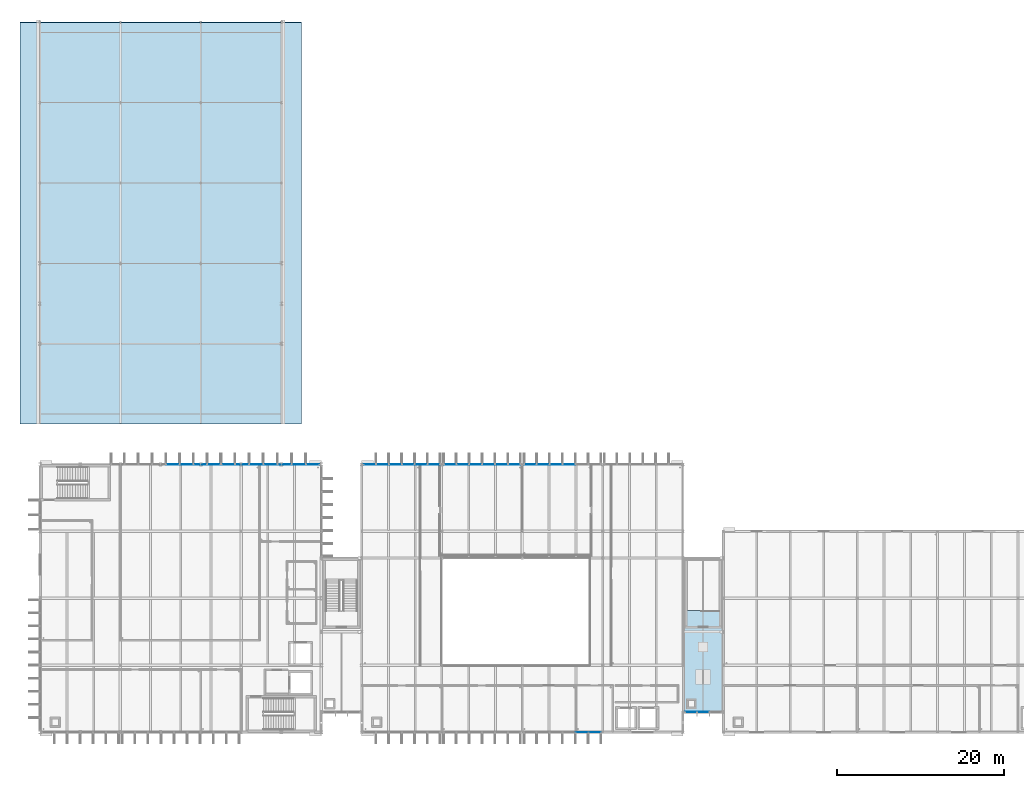
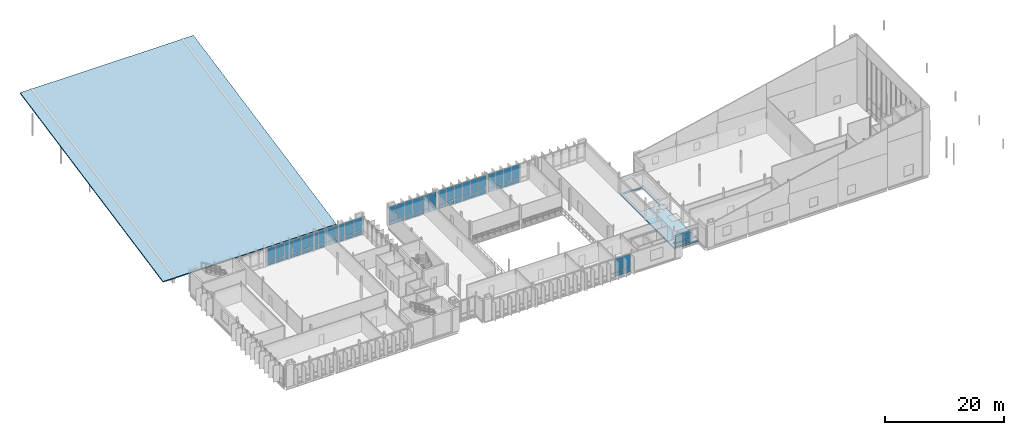
# One storey, part 29 of 59: 62 plates, 2 slabs, 7 elements without a shape of their own.
"""IFC4 building model written with IfcOpenShell, lengths in metres."""

from ifc_helpers import new_model, si_unit, direction, frame, origin, origin_2d, place, context, subcontext, project, spatial, polyline, rectangle, outline, extrude, material, layer, layer_set, type_object, element, aggregate, save


model = new_model("IFC4")

# Units and contexts
model_context = context("Model", 3, precision=1e-05, world=origin(), true_north=direction((0.0, 1.0)))
body_context = subcontext(model_context, "Body", "Model", "MODEL_VIEW")
ifc_project = project(units=[si_unit("LENGTHUNIT", "METRE"), si_unit("AREAUNIT", "SQUARE_METRE"), si_unit("VOLUMEUNIT", "CUBIC_METRE"), si_unit("PLANEANGLEUNIT", "RADIAN"), si_unit("MASSUNIT", "GRAM", prefix="KILO")], contexts=[model_context])

# Site, building, storey
site_placement = place(None, origin())
site = spatial("IfcSite", under=ifc_project, at=site_placement, CompositionType="ELEMENT")
building_placement = place(site_placement, origin())
building = spatial("IfcBuilding", under=site, at=building_placement, Name="Dunescarp Central Library", CompositionType="ELEMENT")
storey_placement = place(building_placement, frame((0.0, 0.0, 18.60009765625)))
storey = spatial("IfcBuildingStorey", under=building, at=storey_placement, Name="L04", CompositionType="ELEMENT", Elevation=18.60009765625)

# Curtain wall, plates
ifc_material_1 = material(Name="Marine-grade anodised aluminium 6063-T6", Category="aluminium")
curtain_wall_type_1 = type_object("IfcCurtainWallType", Name="ARC-CW-STICK", PredefinedType="NOTDEFINED", material=ifc_material_1)
curtain_wall_1_placement = place(storey_placement, origin())
curtain_wall_1 = element("IfcCurtainWall", 1, at=curtain_wall_1_placement, inside=storey, type_object=curtain_wall_type_1, Name="L04 curtain wall CW-V1-026", PredefinedType="NOTDEFINED")
ifc_material_2 = material(Name="Solar-control laminated double glazing", Category="glass")
ifc_layer_1 = layer(ifc_material_2, 0.028076171875)
ifc_layer_set_1 = layer_set([ifc_layer_1], Name="Solar-control laminated double glazing")
plate_type_1 = type_object("IfcPlateType", Name="ARC-PLT-GLZ28", PredefinedType="CURTAIN_PANEL", material=ifc_layer_set_1)
plate_1_placement = place(storey_placement, frame((22.464599609375, 36.800048828125, 0.93994140625), z_axis=(0.0, 0.0, 1.0), x_axis=(1.0, 0.0, 0.0)))
plate_1 = element("IfcPlate", 2, at=plate_1_placement, type_object=plate_type_1, Name="CW-V1-026 panel 1.2", PredefinedType="CURTAIN_PANEL", context=body_context, shape_type="SweptSolid", body=[
    extrude(rectangle(XDim=1.5693359375, YDim=0.028076171875, at=origin_2d()), origin(), (0.0, 0.0, 1.0), 2.64501953125),
])
plate_2_placement = place(storey_placement, frame((24.134033203125, 36.800048828125, 0.93994140625), z_axis=(0.0, 0.0, 1.0), x_axis=(1.0, 0.0, 0.0)))
plate_2 = element("IfcPlate", 3, at=plate_2_placement, type_object=plate_type_1, Name="CW-V1-026 panel 2.2", PredefinedType="CURTAIN_PANEL", context=body_context, shape_type="SweptSolid", body=[
    extrude(rectangle(XDim=1.609375, YDim=0.028076171875, at=origin_2d()), origin(), (0.0, 0.0, 1.0), 2.64501953125),
])
plate_3_placement = place(storey_placement, frame((25.8232421875, 36.800048828125, 0.93994140625), z_axis=(0.0, 0.0, 1.0), x_axis=(1.0, 0.0, 0.0)))
plate_3 = element("IfcPlate", 4, at=plate_3_placement, type_object=plate_type_1, Name="CW-V1-026 panel 3.2", PredefinedType="CURTAIN_PANEL", context=body_context, shape_type="SweptSolid", body=[
    extrude(rectangle(XDim=1.609375, YDim=0.028076171875, at=origin_2d()), origin(), (0.0, 0.0, 1.0), 2.64501953125),
])
plate_4_placement = place(storey_placement, frame((27.512451171875, 36.800048828125, 0.93994140625), z_axis=(0.0, 0.0, 1.0), x_axis=(1.0, 0.0, 0.0)))
plate_4 = element("IfcPlate", 5, at=plate_4_placement, type_object=plate_type_1, Name="CW-V1-026 panel 4.2", PredefinedType="CURTAIN_PANEL", context=body_context, shape_type="SweptSolid", body=[
    extrude(rectangle(XDim=1.609375, YDim=0.028076171875, at=origin_2d()), origin(), (0.0, 0.0, 1.0), 2.64501953125),
])
plate_5_placement = place(storey_placement, frame((29.201904296875, 36.800048828125, 0.93994140625), z_axis=(0.0, 0.0, 1.0), x_axis=(1.0, 0.0, 0.0)))
plate_5 = element("IfcPlate", 6, at=plate_5_placement, type_object=plate_type_1, Name="CW-V1-026 panel 5.2", PredefinedType="CURTAIN_PANEL", context=body_context, shape_type="SweptSolid", body=[
    extrude(rectangle(XDim=1.609375, YDim=0.028076171875, at=origin_2d()), origin(), (0.0, 0.0, 1.0), 2.64501953125),
])
plate_6_placement = place(storey_placement, frame((30.89111328125, 36.800048828125, 0.93994140625), z_axis=(0.0, 0.0, 1.0), x_axis=(1.0, 0.0, 0.0)))
plate_6 = element("IfcPlate", 7, at=plate_6_placement, type_object=plate_type_1, Name="CW-V1-026 panel 6.2", PredefinedType="CURTAIN_PANEL", context=body_context, shape_type="SweptSolid", body=[
    extrude(rectangle(XDim=1.609375, YDim=0.028076171875, at=origin_2d()), origin(), (0.0, 0.0, 1.0), 2.64501953125),
])
plate_7_placement = place(storey_placement, frame((32.560302734375, 36.800048828125, 0.93994140625), z_axis=(0.0, 0.0, 1.0), x_axis=(1.0, 0.0, 0.0)))
plate_7 = element("IfcPlate", 8, at=plate_7_placement, type_object=plate_type_1, Name="CW-V1-026 panel 7.2", PredefinedType="CURTAIN_PANEL", context=body_context, shape_type="SweptSolid", body=[
    extrude(rectangle(XDim=1.5693359375, YDim=0.028076171875, at=origin_2d()), origin(), (0.0, 0.0, 1.0), 2.64501953125),
])

curtain_wall_2_placement = place(storey_placement, origin())
curtain_wall_2 = element("IfcCurtainWall", 9, at=curtain_wall_2_placement, inside=storey, type_object=curtain_wall_type_1, Name="L04 curtain wall CW-V1-027", PredefinedType="NOTDEFINED")
plate_8_placement = place(storey_placement, frame((15.846923828125, 36.800048828125, 0.93994140625), z_axis=(0.0, 0.0, 1.0), x_axis=(1.0, 0.0, 0.0)))
plate_8 = element("IfcPlate", 10, at=plate_8_placement, type_object=plate_type_1, Name="CW-V1-027 panel 5.2", PredefinedType="CURTAIN_PANEL", context=body_context, shape_type="SweptSolid", body=[
    extrude(rectangle(XDim=1.563720703125, YDim=0.028076171875, at=origin_2d()), origin(), (0.0, 0.0, 1.0), 2.64501953125),
])
plate_9_placement = place(storey_placement, frame((17.49072265625, 36.800048828125, 0.93994140625), z_axis=(0.0, 0.0, 1.0), x_axis=(1.0, 0.0, 0.0)))
plate_9 = element("IfcPlate", 11, at=plate_9_placement, type_object=plate_type_1, Name="CW-V1-027 panel 6.2", PredefinedType="CURTAIN_PANEL", context=body_context, shape_type="SweptSolid", body=[
    extrude(rectangle(XDim=1.563720703125, YDim=0.028076171875, at=origin_2d()), origin(), (0.0, 0.0, 1.0), 2.64501953125),
])
plate_10_placement = place(storey_placement, frame((19.13427734375, 36.800048828125, 0.93994140625), z_axis=(0.0, 0.0, 1.0), x_axis=(1.0, 0.0, 0.0)))
plate_10 = element("IfcPlate", 12, at=plate_10_placement, type_object=plate_type_1, Name="CW-V1-027 panel 7.2", PredefinedType="CURTAIN_PANEL", context=body_context, shape_type="SweptSolid", body=[
    extrude(rectangle(XDim=1.563720703125, YDim=0.028076171875, at=origin_2d()), origin(), (0.0, 0.0, 1.0), 2.64501953125),
])
plate_11_placement = place(storey_placement, frame((20.758056640625, 36.800048828125, 0.93994140625), z_axis=(0.0, 0.0, 1.0), x_axis=(1.0, 0.0, 0.0)))
plate_11 = element("IfcPlate", 13, at=plate_11_placement, type_object=plate_type_1, Name="CW-V1-027 panel 8.2", PredefinedType="CURTAIN_PANEL", context=body_context, shape_type="SweptSolid", body=[
    extrude(rectangle(XDim=1.523681640625, YDim=0.028076171875, at=origin_2d()), origin(), (0.0, 0.0, 1.0), 2.64501953125),
])

curtain_wall_3_placement = place(storey_placement, origin())
curtain_wall_3 = element("IfcCurtainWall", 14, at=curtain_wall_3_placement, inside=storey, type_object=curtain_wall_type_1, Name="L04 curtain wall CW-V2-069", PredefinedType="NOTDEFINED")
plate_12_placement = place(storey_placement, frame((66.234130859375, 4.800048828125, 0.93994140625), z_axis=(0.0, 0.0, 1.0), x_axis=(-1.0, 0.0, 0.0)))
plate_12 = element("IfcPlate", 15, at=plate_12_placement, type_object=plate_type_1, Name="CW-V2-069 panel 1.2", PredefinedType="CURTAIN_PANEL", context=body_context, shape_type="SweptSolid", body=[
    extrude(rectangle(XDim=1.421630859375, YDim=0.028076171875, at=origin_2d()), origin(), (0.0, 0.0, 1.0), 2.8349609375),
])
plate_13_placement = place(storey_placement, frame((64.71240234375, 4.800048828125, 0.93994140625), z_axis=(0.0, 0.0, 1.0), x_axis=(-1.0, 0.0, 0.0)))
plate_13 = element("IfcPlate", 16, at=plate_13_placement, type_object=plate_type_1, Name="CW-V2-069 panel 2.2", PredefinedType="CURTAIN_PANEL", context=body_context, shape_type="SweptSolid", body=[
    extrude(rectangle(XDim=1.461669921875, YDim=0.028076171875, at=origin_2d()), origin(), (0.0, 0.0, 1.0), 2.8349609375),
])

curtain_wall_4_placement = place(storey_placement, origin())
curtain_wall_4 = element("IfcCurtainWall", 17, at=curtain_wall_4_placement, inside=storey, type_object=curtain_wall_type_1, Name="L04 curtain wall CW-V2-070", PredefinedType="NOTDEFINED")
plate_14_placement = place(storey_placement, frame((39.36572265625, 36.800048828125, 0.93994140625), z_axis=(0.0, 0.0, 1.0), x_axis=(1.0, 0.0, 0.0)))
plate_14 = element("IfcPlate", 18, at=plate_14_placement, type_object=plate_type_1, Name="CW-V2-070 panel 1.2", PredefinedType="CURTAIN_PANEL", context=body_context, shape_type="SweptSolid", body=[
    extrude(rectangle(XDim=1.421630859375, YDim=0.028076171875, at=origin_2d()), origin(), (0.0, 0.0, 1.0), 2.85888671875),
])
plate_15_placement = place(storey_placement, frame((40.887451171875, 36.800048828125, 0.93994140625), z_axis=(0.0, 0.0, 1.0), x_axis=(1.0, 0.0, 0.0)))
plate_15 = element("IfcPlate", 19, at=plate_15_placement, type_object=plate_type_1, Name="CW-V2-070 panel 2.2", PredefinedType="CURTAIN_PANEL", context=body_context, shape_type="SweptSolid", body=[
    extrude(rectangle(XDim=1.461669921875, YDim=0.028076171875, at=origin_2d()), origin(), (0.0, 0.0, 1.0), 2.85888671875),
])
plate_16_placement = place(storey_placement, frame((42.42919921875, 36.800048828125, 0.93994140625), z_axis=(0.0, 0.0, 1.0), x_axis=(1.0, 0.0, 0.0)))
plate_16 = element("IfcPlate", 20, at=plate_16_placement, type_object=plate_type_1, Name="CW-V2-070 panel 3.2", PredefinedType="CURTAIN_PANEL", context=body_context, shape_type="SweptSolid", body=[
    extrude(rectangle(XDim=1.461669921875, YDim=0.028076171875, at=origin_2d()), origin(), (0.0, 0.0, 1.0), 2.85888671875),
])
plate_17_placement = place(storey_placement, frame((43.970947265625, 36.800048828125, 0.93994140625), z_axis=(0.0, 0.0, 1.0), x_axis=(1.0, 0.0, 0.0)))
plate_17 = element("IfcPlate", 21, at=plate_17_placement, type_object=plate_type_1, Name="CW-V2-070 panel 4.2", PredefinedType="CURTAIN_PANEL", context=body_context, shape_type="SweptSolid", body=[
    extrude(rectangle(XDim=1.461669921875, YDim=0.028076171875, at=origin_2d()), origin(), (0.0, 0.0, 1.0), 2.85888671875),
])
plate_18_placement = place(storey_placement, frame((45.512451171875, 36.800048828125, 0.93994140625), z_axis=(0.0, 0.0, 1.0), x_axis=(1.0, 0.0, 0.0)))
plate_18 = element("IfcPlate", 22, at=plate_18_placement, type_object=plate_type_1, Name="CW-V2-070 panel 5.2", PredefinedType="CURTAIN_PANEL", context=body_context, shape_type="SweptSolid", body=[
    extrude(rectangle(XDim=1.461669921875, YDim=0.028076171875, at=origin_2d()), origin(), (0.0, 0.0, 1.0), 2.85888671875),
])
plate_19_placement = place(storey_placement, frame((47.0341796875, 36.800048828125, 0.93994140625), z_axis=(0.0, 0.0, 1.0), x_axis=(1.0, 0.0, 0.0)))
plate_19 = element("IfcPlate", 23, at=plate_19_placement, type_object=plate_type_1, Name="CW-V2-070 panel 6.2", PredefinedType="CURTAIN_PANEL", context=body_context, shape_type="SweptSolid", body=[
    extrude(rectangle(XDim=1.421630859375, YDim=0.028076171875, at=origin_2d()), origin(), (0.0, 0.0, 1.0), 2.85888671875),
])

curtain_wall_5_placement = place(storey_placement, origin())
curtain_wall_5 = element("IfcCurtainWall", 24, at=curtain_wall_5_placement, inside=storey, type_object=curtain_wall_type_1, Name="L04 curtain wall CW-V2-071", PredefinedType="NOTDEFINED")
plate_20_placement = place(storey_placement, frame((48.9658203125, 36.800048828125, 0.93994140625), z_axis=(0.0, 0.0, 1.0), x_axis=(1.0, 0.0, 0.0)))
plate_20 = element("IfcPlate", 25, at=plate_20_placement, type_object=plate_type_1, Name="CW-V2-071 panel 1.2", PredefinedType="CURTAIN_PANEL", context=body_context, shape_type="SweptSolid", body=[
    extrude(rectangle(XDim=1.421630859375, YDim=0.028076171875, at=origin_2d()), origin(), (0.0, 0.0, 1.0), 2.85888671875),
])
plate_21_placement = place(storey_placement, frame((50.487548828125, 36.800048828125, 0.93994140625), z_axis=(0.0, 0.0, 1.0), x_axis=(1.0, 0.0, 0.0)))
plate_21 = element("IfcPlate", 26, at=plate_21_placement, type_object=plate_type_1, Name="CW-V2-071 panel 2.2", PredefinedType="CURTAIN_PANEL", context=body_context, shape_type="SweptSolid", body=[
    extrude(rectangle(XDim=1.461669921875, YDim=0.028076171875, at=origin_2d()), origin(), (0.0, 0.0, 1.0), 2.85888671875),
])
plate_22_placement = place(storey_placement, frame((52.029052734375, 36.800048828125, 0.93994140625), z_axis=(0.0, 0.0, 1.0), x_axis=(1.0, 0.0, 0.0)))
plate_22 = element("IfcPlate", 27, at=plate_22_placement, type_object=plate_type_1, Name="CW-V2-071 panel 3.2", PredefinedType="CURTAIN_PANEL", context=body_context, shape_type="SweptSolid", body=[
    extrude(rectangle(XDim=1.461669921875, YDim=0.028076171875, at=origin_2d()), origin(), (0.0, 0.0, 1.0), 2.85888671875),
])
plate_23_placement = place(storey_placement, frame((53.57080078125, 36.800048828125, 0.93994140625), z_axis=(0.0, 0.0, 1.0), x_axis=(1.0, 0.0, 0.0)))
plate_23 = element("IfcPlate", 28, at=plate_23_placement, type_object=plate_type_1, Name="CW-V2-071 panel 4.2", PredefinedType="CURTAIN_PANEL", context=body_context, shape_type="SweptSolid", body=[
    extrude(rectangle(XDim=1.461669921875, YDim=0.028076171875, at=origin_2d()), origin(), (0.0, 0.0, 1.0), 2.85888671875),
])
plate_24_placement = place(storey_placement, frame((55.112548828125, 36.800048828125, 0.93994140625), z_axis=(0.0, 0.0, 1.0), x_axis=(1.0, 0.0, 0.0)))
plate_24 = element("IfcPlate", 29, at=plate_24_placement, type_object=plate_type_1, Name="CW-V2-071 panel 5.2", PredefinedType="CURTAIN_PANEL", context=body_context, shape_type="SweptSolid", body=[
    extrude(rectangle(XDim=1.461669921875, YDim=0.028076171875, at=origin_2d()), origin(), (0.0, 0.0, 1.0), 2.85888671875),
])
plate_25_placement = place(storey_placement, frame((56.63427734375, 36.800048828125, 0.93994140625), z_axis=(0.0, 0.0, 1.0), x_axis=(1.0, 0.0, 0.0)))
plate_25 = element("IfcPlate", 30, at=plate_25_placement, type_object=plate_type_1, Name="CW-V2-071 panel 6.2", PredefinedType="CURTAIN_PANEL", context=body_context, shape_type="SweptSolid", body=[
    extrude(rectangle(XDim=1.421630859375, YDim=0.028076171875, at=origin_2d()), origin(), (0.0, 0.0, 1.0), 2.85888671875),
])

curtain_wall_6_placement = place(storey_placement, origin())
curtain_wall_6 = element("IfcCurtainWall", 31, at=curtain_wall_6_placement, inside=storey, type_object=curtain_wall_type_1, Name="L04 curtain wall CW-V2-072", PredefinedType="NOTDEFINED")
plate_26_placement = place(storey_placement, frame((58.56591796875, 36.800048828125, 0.93994140625), z_axis=(0.0, 0.0, 1.0), x_axis=(1.0, 0.0, 0.0)))
plate_26 = element("IfcPlate", 32, at=plate_26_placement, type_object=plate_type_1, Name="CW-V2-072 panel 1.2", PredefinedType="CURTAIN_PANEL", context=body_context, shape_type="SweptSolid", body=[
    extrude(rectangle(XDim=1.421630859375, YDim=0.028076171875, at=origin_2d()), origin(), (0.0, 0.0, 1.0), 2.85888671875),
])
plate_27_placement = place(storey_placement, frame((60.08740234375, 36.800048828125, 0.93994140625), z_axis=(0.0, 0.0, 1.0), x_axis=(1.0, 0.0, 0.0)))
plate_27 = element("IfcPlate", 33, at=plate_27_placement, type_object=plate_type_1, Name="CW-V2-072 panel 2.2", PredefinedType="CURTAIN_PANEL", context=body_context, shape_type="SweptSolid", body=[
    extrude(rectangle(XDim=1.461669921875, YDim=0.028076171875, at=origin_2d()), origin(), (0.0, 0.0, 1.0), 2.85888671875),
])
plate_28_placement = place(storey_placement, frame((61.629150390625, 36.800048828125, 0.93994140625), z_axis=(0.0, 0.0, 1.0), x_axis=(1.0, 0.0, 0.0)))
plate_28 = element("IfcPlate", 34, at=plate_28_placement, type_object=plate_type_1, Name="CW-V2-072 panel 3.2", PredefinedType="CURTAIN_PANEL", context=body_context, shape_type="SweptSolid", body=[
    extrude(rectangle(XDim=1.461669921875, YDim=0.028076171875, at=origin_2d()), origin(), (0.0, 0.0, 1.0), 2.85888671875),
])
plate_29_placement = place(storey_placement, frame((63.1708984375, 36.800048828125, 0.93994140625), z_axis=(0.0, 0.0, 1.0), x_axis=(1.0, 0.0, 0.0)))
plate_29 = element("IfcPlate", 35, at=plate_29_placement, type_object=plate_type_1, Name="CW-V2-072 panel 4.2", PredefinedType="CURTAIN_PANEL", context=body_context, shape_type="SweptSolid", body=[
    extrude(rectangle(XDim=1.461669921875, YDim=0.028076171875, at=origin_2d()), origin(), (0.0, 0.0, 1.0), 2.85888671875),
])

curtain_wall_type_2 = type_object("IfcCurtainWallType", Name="ARC-CW-LINK", PredefinedType="USERDEFINED", material=ifc_material_1)
curtain_wall_7_placement = place(storey_placement, origin())
curtain_wall_7 = element("IfcCurtainWall", 36, at=curtain_wall_7_placement, inside=storey, type_object=curtain_wall_type_2, Name="L04 curtain wall CW-GL2-S-L04", ObjectType="GLAZED_LINK_WALL", PredefinedType="USERDEFINED")
plate_30_placement = place(storey_placement, frame((79.199951171875, 7.199951171875, 0.93994140625), z_axis=(0.0, 0.0, 1.0), x_axis=(-1.0, 0.0, 0.0)))
plate_30 = element("IfcPlate", 37, at=plate_30_placement, type_object=plate_type_1, Name="CW-GL2-S-L04 panel 2.2", PredefinedType="CURTAIN_PANEL", context=body_context, shape_type="SweptSolid", body=[
    extrude(rectangle(XDim=1.4033203125, YDim=0.028076171875, at=origin_2d()), origin(), (0.0, 0.0, 1.0), 1.580078125),
])
plate_31_placement = place(storey_placement, frame((77.736572265625, 7.199951171875, 0.93994140625), z_axis=(0.0, 0.0, 1.0), x_axis=(-1.0, 0.0, 0.0)))
plate_31 = element("IfcPlate", 38, at=plate_31_placement, type_object=plate_type_1, Name="CW-GL2-S-L04 panel 3.2", PredefinedType="CURTAIN_PANEL", context=body_context, shape_type="SweptSolid", body=[
    extrude(rectangle(XDim=1.36328125, YDim=0.028076171875, at=origin_2d()), origin(), (0.0, 0.0, 1.0), 1.580078125),
])

# Plate
ifc_layer_2 = layer(ifc_material_1, 0.050048828125)
ifc_layer_set_2 = layer_set([ifc_layer_2], Name="Marine-grade anodised aluminium 6063-T6")
plate_type_2 = type_object("IfcPlateType", Name="ARC-PLT-SPN50", PredefinedType="SHEET", material=ifc_layer_set_2)
plate_32_placement = place(storey_placement, frame((22.464599609375, 36.800048828125, 0.080078125), z_axis=(0.0, 0.0, 1.0), x_axis=(1.0, 0.0, 0.0)))
plate_32 = element("IfcPlate", 39, at=plate_32_placement, type_object=plate_type_2, Name="CW-V1-026 panel 1.1", PredefinedType="SHEET", context=body_context, shape_type="SweptSolid", body=[
    extrude(rectangle(XDim=1.5693359375, YDim=0.050048828125, at=origin_2d()), origin(), (0.0, 0.0, 1.0), 0.780029296875),
])

plate_33_placement = place(storey_placement, frame((24.134033203125, 36.800048828125, 0.080078125), z_axis=(0.0, 0.0, 1.0), x_axis=(1.0, 0.0, 0.0)))
plate_33 = element("IfcPlate", 40, at=plate_33_placement, type_object=plate_type_2, Name="CW-V1-026 panel 2.1", PredefinedType="SHEET", context=body_context, shape_type="SweptSolid", body=[
    extrude(rectangle(XDim=1.609375, YDim=0.050048828125, at=origin_2d()), origin(), (0.0, 0.0, 1.0), 0.780029296875),
])

plate_34_placement = place(storey_placement, frame((25.8232421875, 36.800048828125, 0.080078125), z_axis=(0.0, 0.0, 1.0), x_axis=(1.0, 0.0, 0.0)))
plate_34 = element("IfcPlate", 41, at=plate_34_placement, type_object=plate_type_2, Name="CW-V1-026 panel 3.1", PredefinedType="SHEET", context=body_context, shape_type="SweptSolid", body=[
    extrude(rectangle(XDim=1.609375, YDim=0.050048828125, at=origin_2d()), origin(), (0.0, 0.0, 1.0), 0.780029296875),
])

plate_35_placement = place(storey_placement, frame((27.512451171875, 36.800048828125, 0.080078125), z_axis=(0.0, 0.0, 1.0), x_axis=(1.0, 0.0, 0.0)))
plate_35 = element("IfcPlate", 42, at=plate_35_placement, type_object=plate_type_2, Name="CW-V1-026 panel 4.1", PredefinedType="SHEET", context=body_context, shape_type="SweptSolid", body=[
    extrude(rectangle(XDim=1.609375, YDim=0.050048828125, at=origin_2d()), origin(), (0.0, 0.0, 1.0), 0.780029296875),
])

plate_36_placement = place(storey_placement, frame((29.201904296875, 36.800048828125, 0.080078125), z_axis=(0.0, 0.0, 1.0), x_axis=(1.0, 0.0, 0.0)))
plate_36 = element("IfcPlate", 43, at=plate_36_placement, type_object=plate_type_2, Name="CW-V1-026 panel 5.1", PredefinedType="SHEET", context=body_context, shape_type="SweptSolid", body=[
    extrude(rectangle(XDim=1.609375, YDim=0.050048828125, at=origin_2d()), origin(), (0.0, 0.0, 1.0), 0.780029296875),
])

plate_37_placement = place(storey_placement, frame((30.89111328125, 36.800048828125, 0.080078125), z_axis=(0.0, 0.0, 1.0), x_axis=(1.0, 0.0, 0.0)))
plate_37 = element("IfcPlate", 44, at=plate_37_placement, type_object=plate_type_2, Name="CW-V1-026 panel 6.1", PredefinedType="SHEET", context=body_context, shape_type="SweptSolid", body=[
    extrude(rectangle(XDim=1.609375, YDim=0.050048828125, at=origin_2d()), origin(), (0.0, 0.0, 1.0), 0.780029296875),
])

plate_38_placement = place(storey_placement, frame((32.560302734375, 36.800048828125, 0.080078125), z_axis=(0.0, 0.0, 1.0), x_axis=(1.0, 0.0, 0.0)))
plate_38 = element("IfcPlate", 45, at=plate_38_placement, type_object=plate_type_2, Name="CW-V1-026 panel 7.1", PredefinedType="SHEET", context=body_context, shape_type="SweptSolid", body=[
    extrude(rectangle(XDim=1.5693359375, YDim=0.050048828125, at=origin_2d()), origin(), (0.0, 0.0, 1.0), 0.780029296875),
])

aggregate(curtain_wall_1, [plate_32, plate_1, plate_33, plate_2, plate_34, plate_3, plate_35, plate_4, plate_36, plate_5, plate_37, plate_6, plate_38, plate_7])

plate_39_placement = place(storey_placement, frame((15.846923828125, 36.800048828125, 0.080078125), z_axis=(0.0, 0.0, 1.0), x_axis=(1.0, 0.0, 0.0)))
plate_39 = element("IfcPlate", 46, at=plate_39_placement, type_object=plate_type_2, Name="CW-V1-027 panel 5.1", PredefinedType="SHEET", context=body_context, shape_type="SweptSolid", body=[
    extrude(rectangle(XDim=1.563720703125, YDim=0.050048828125, at=origin_2d()), origin(), (0.0, 0.0, 1.0), 0.780029296875),
])

plate_40_placement = place(storey_placement, frame((17.49072265625, 36.800048828125, 0.080078125), z_axis=(0.0, 0.0, 1.0), x_axis=(1.0, 0.0, 0.0)))
plate_40 = element("IfcPlate", 47, at=plate_40_placement, type_object=plate_type_2, Name="CW-V1-027 panel 6.1", PredefinedType="SHEET", context=body_context, shape_type="SweptSolid", body=[
    extrude(rectangle(XDim=1.563720703125, YDim=0.050048828125, at=origin_2d()), origin(), (0.0, 0.0, 1.0), 0.780029296875),
])

plate_41_placement = place(storey_placement, frame((19.13427734375, 36.800048828125, 0.080078125), z_axis=(0.0, 0.0, 1.0), x_axis=(1.0, 0.0, 0.0)))
plate_41 = element("IfcPlate", 48, at=plate_41_placement, type_object=plate_type_2, Name="CW-V1-027 panel 7.1", PredefinedType="SHEET", context=body_context, shape_type="SweptSolid", body=[
    extrude(rectangle(XDim=1.563720703125, YDim=0.050048828125, at=origin_2d()), origin(), (0.0, 0.0, 1.0), 0.780029296875),
])

plate_42_placement = place(storey_placement, frame((20.758056640625, 36.800048828125, 0.080078125), z_axis=(0.0, 0.0, 1.0), x_axis=(1.0, 0.0, 0.0)))
plate_42 = element("IfcPlate", 49, at=plate_42_placement, type_object=plate_type_2, Name="CW-V1-027 panel 8.1", PredefinedType="SHEET", context=body_context, shape_type="SweptSolid", body=[
    extrude(rectangle(XDim=1.523681640625, YDim=0.050048828125, at=origin_2d()), origin(), (0.0, 0.0, 1.0), 0.780029296875),
])

aggregate(curtain_wall_2, [plate_39, plate_8, plate_40, plate_9, plate_41, plate_10, plate_42, plate_11])

plate_43_placement = place(storey_placement, frame((66.234130859375, 4.800048828125, 0.080078125), z_axis=(0.0, 0.0, 1.0), x_axis=(-1.0, 0.0, 0.0)))
plate_43 = element("IfcPlate", 50, at=plate_43_placement, type_object=plate_type_2, Name="CW-V2-069 panel 1.1", PredefinedType="SHEET", context=body_context, shape_type="SweptSolid", body=[
    extrude(rectangle(XDim=1.421630859375, YDim=0.050048828125, at=origin_2d()), origin(), (0.0, 0.0, 1.0), 0.780029296875),
])

plate_44_placement = place(storey_placement, frame((64.71240234375, 4.800048828125, 0.080078125), z_axis=(0.0, 0.0, 1.0), x_axis=(-1.0, 0.0, 0.0)))
plate_44 = element("IfcPlate", 51, at=plate_44_placement, type_object=plate_type_2, Name="CW-V2-069 panel 2.1", PredefinedType="SHEET", context=body_context, shape_type="SweptSolid", body=[
    extrude(rectangle(XDim=1.461669921875, YDim=0.050048828125, at=origin_2d()), origin(), (0.0, 0.0, 1.0), 0.780029296875),
])

aggregate(curtain_wall_3, [plate_43, plate_12, plate_44, plate_13])

plate_45_placement = place(storey_placement, frame((39.36572265625, 36.800048828125, 0.080078125), z_axis=(0.0, 0.0, 1.0), x_axis=(1.0, 0.0, 0.0)))
plate_45 = element("IfcPlate", 52, at=plate_45_placement, type_object=plate_type_2, Name="CW-V2-070 panel 1.1", PredefinedType="SHEET", context=body_context, shape_type="SweptSolid", body=[
    extrude(rectangle(XDim=1.421630859375, YDim=0.050048828125, at=origin_2d()), origin(), (0.0, 0.0, 1.0), 0.780029296875),
])

plate_46_placement = place(storey_placement, frame((40.887451171875, 36.800048828125, 0.080078125), z_axis=(0.0, 0.0, 1.0), x_axis=(1.0, 0.0, 0.0)))
plate_46 = element("IfcPlate", 53, at=plate_46_placement, type_object=plate_type_2, Name="CW-V2-070 panel 2.1", PredefinedType="SHEET", context=body_context, shape_type="SweptSolid", body=[
    extrude(rectangle(XDim=1.461669921875, YDim=0.050048828125, at=origin_2d()), origin(), (0.0, 0.0, 1.0), 0.780029296875),
])

plate_47_placement = place(storey_placement, frame((42.42919921875, 36.800048828125, 0.080078125), z_axis=(0.0, 0.0, 1.0), x_axis=(1.0, 0.0, 0.0)))
plate_47 = element("IfcPlate", 54, at=plate_47_placement, type_object=plate_type_2, Name="CW-V2-070 panel 3.1", PredefinedType="SHEET", context=body_context, shape_type="SweptSolid", body=[
    extrude(rectangle(XDim=1.461669921875, YDim=0.050048828125, at=origin_2d()), origin(), (0.0, 0.0, 1.0), 0.780029296875),
])

plate_48_placement = place(storey_placement, frame((43.970947265625, 36.800048828125, 0.080078125), z_axis=(0.0, 0.0, 1.0), x_axis=(1.0, 0.0, 0.0)))
plate_48 = element("IfcPlate", 55, at=plate_48_placement, type_object=plate_type_2, Name="CW-V2-070 panel 4.1", PredefinedType="SHEET", context=body_context, shape_type="SweptSolid", body=[
    extrude(rectangle(XDim=1.461669921875, YDim=0.050048828125, at=origin_2d()), origin(), (0.0, 0.0, 1.0), 0.780029296875),
])

plate_49_placement = place(storey_placement, frame((45.512451171875, 36.800048828125, 0.080078125), z_axis=(0.0, 0.0, 1.0), x_axis=(1.0, 0.0, 0.0)))
plate_49 = element("IfcPlate", 56, at=plate_49_placement, type_object=plate_type_2, Name="CW-V2-070 panel 5.1", PredefinedType="SHEET", context=body_context, shape_type="SweptSolid", body=[
    extrude(rectangle(XDim=1.461669921875, YDim=0.050048828125, at=origin_2d()), origin(), (0.0, 0.0, 1.0), 0.780029296875),
])

plate_50_placement = place(storey_placement, frame((47.0341796875, 36.800048828125, 0.080078125), z_axis=(0.0, 0.0, 1.0), x_axis=(1.0, 0.0, 0.0)))
plate_50 = element("IfcPlate", 57, at=plate_50_placement, type_object=plate_type_2, Name="CW-V2-070 panel 6.1", PredefinedType="SHEET", context=body_context, shape_type="SweptSolid", body=[
    extrude(rectangle(XDim=1.421630859375, YDim=0.050048828125, at=origin_2d()), origin(), (0.0, 0.0, 1.0), 0.780029296875),
])

aggregate(curtain_wall_4, [plate_45, plate_14, plate_46, plate_15, plate_47, plate_16, plate_48, plate_17, plate_49, plate_18, plate_50, plate_19])

plate_51_placement = place(storey_placement, frame((48.9658203125, 36.800048828125, 0.080078125), z_axis=(0.0, 0.0, 1.0), x_axis=(1.0, 0.0, 0.0)))
plate_51 = element("IfcPlate", 58, at=plate_51_placement, type_object=plate_type_2, Name="CW-V2-071 panel 1.1", PredefinedType="SHEET", context=body_context, shape_type="SweptSolid", body=[
    extrude(rectangle(XDim=1.421630859375, YDim=0.050048828125, at=origin_2d()), origin(), (0.0, 0.0, 1.0), 0.780029296875),
])

plate_52_placement = place(storey_placement, frame((50.487548828125, 36.800048828125, 0.080078125), z_axis=(0.0, 0.0, 1.0), x_axis=(1.0, 0.0, 0.0)))
plate_52 = element("IfcPlate", 59, at=plate_52_placement, type_object=plate_type_2, Name="CW-V2-071 panel 2.1", PredefinedType="SHEET", context=body_context, shape_type="SweptSolid", body=[
    extrude(rectangle(XDim=1.461669921875, YDim=0.050048828125, at=origin_2d()), origin(), (0.0, 0.0, 1.0), 0.780029296875),
])

plate_53_placement = place(storey_placement, frame((52.029052734375, 36.800048828125, 0.080078125), z_axis=(0.0, 0.0, 1.0), x_axis=(1.0, 0.0, 0.0)))
plate_53 = element("IfcPlate", 60, at=plate_53_placement, type_object=plate_type_2, Name="CW-V2-071 panel 3.1", PredefinedType="SHEET", context=body_context, shape_type="SweptSolid", body=[
    extrude(rectangle(XDim=1.461669921875, YDim=0.050048828125, at=origin_2d()), origin(), (0.0, 0.0, 1.0), 0.780029296875),
])

plate_54_placement = place(storey_placement, frame((53.57080078125, 36.800048828125, 0.080078125), z_axis=(0.0, 0.0, 1.0), x_axis=(1.0, 0.0, 0.0)))
plate_54 = element("IfcPlate", 61, at=plate_54_placement, type_object=plate_type_2, Name="CW-V2-071 panel 4.1", PredefinedType="SHEET", context=body_context, shape_type="SweptSolid", body=[
    extrude(rectangle(XDim=1.461669921875, YDim=0.050048828125, at=origin_2d()), origin(), (0.0, 0.0, 1.0), 0.780029296875),
])

plate_55_placement = place(storey_placement, frame((55.112548828125, 36.800048828125, 0.080078125), z_axis=(0.0, 0.0, 1.0), x_axis=(1.0, 0.0, 0.0)))
plate_55 = element("IfcPlate", 62, at=plate_55_placement, type_object=plate_type_2, Name="CW-V2-071 panel 5.1", PredefinedType="SHEET", context=body_context, shape_type="SweptSolid", body=[
    extrude(rectangle(XDim=1.461669921875, YDim=0.050048828125, at=origin_2d()), origin(), (0.0, 0.0, 1.0), 0.780029296875),
])

plate_56_placement = place(storey_placement, frame((56.63427734375, 36.800048828125, 0.080078125), z_axis=(0.0, 0.0, 1.0), x_axis=(1.0, 0.0, 0.0)))
plate_56 = element("IfcPlate", 63, at=plate_56_placement, type_object=plate_type_2, Name="CW-V2-071 panel 6.1", PredefinedType="SHEET", context=body_context, shape_type="SweptSolid", body=[
    extrude(rectangle(XDim=1.421630859375, YDim=0.050048828125, at=origin_2d()), origin(), (0.0, 0.0, 1.0), 0.780029296875),
])

aggregate(curtain_wall_5, [plate_51, plate_20, plate_52, plate_21, plate_53, plate_22, plate_54, plate_23, plate_55, plate_24, plate_56, plate_25])

plate_57_placement = place(storey_placement, frame((58.56591796875, 36.800048828125, 0.080078125), z_axis=(0.0, 0.0, 1.0), x_axis=(1.0, 0.0, 0.0)))
plate_57 = element("IfcPlate", 64, at=plate_57_placement, type_object=plate_type_2, Name="CW-V2-072 panel 1.1", PredefinedType="SHEET", context=body_context, shape_type="SweptSolid", body=[
    extrude(rectangle(XDim=1.421630859375, YDim=0.050048828125, at=origin_2d()), origin(), (0.0, 0.0, 1.0), 0.780029296875),
])

plate_58_placement = place(storey_placement, frame((60.08740234375, 36.800048828125, 0.080078125), z_axis=(0.0, 0.0, 1.0), x_axis=(1.0, 0.0, 0.0)))
plate_58 = element("IfcPlate", 65, at=plate_58_placement, type_object=plate_type_2, Name="CW-V2-072 panel 2.1", PredefinedType="SHEET", context=body_context, shape_type="SweptSolid", body=[
    extrude(rectangle(XDim=1.461669921875, YDim=0.050048828125, at=origin_2d()), origin(), (0.0, 0.0, 1.0), 0.780029296875),
])

plate_59_placement = place(storey_placement, frame((61.629150390625, 36.800048828125, 0.080078125), z_axis=(0.0, 0.0, 1.0), x_axis=(1.0, 0.0, 0.0)))
plate_59 = element("IfcPlate", 66, at=plate_59_placement, type_object=plate_type_2, Name="CW-V2-072 panel 3.1", PredefinedType="SHEET", context=body_context, shape_type="SweptSolid", body=[
    extrude(rectangle(XDim=1.461669921875, YDim=0.050048828125, at=origin_2d()), origin(), (0.0, 0.0, 1.0), 0.780029296875),
])

plate_60_placement = place(storey_placement, frame((63.1708984375, 36.800048828125, 0.080078125), z_axis=(0.0, 0.0, 1.0), x_axis=(1.0, 0.0, 0.0)))
plate_60 = element("IfcPlate", 67, at=plate_60_placement, type_object=plate_type_2, Name="CW-V2-072 panel 4.1", PredefinedType="SHEET", context=body_context, shape_type="SweptSolid", body=[
    extrude(rectangle(XDim=1.461669921875, YDim=0.050048828125, at=origin_2d()), origin(), (0.0, 0.0, 1.0), 0.780029296875),
])

aggregate(curtain_wall_6, [plate_57, plate_26, plate_58, plate_27, plate_59, plate_28, plate_60, plate_29])

plate_61_placement = place(storey_placement, frame((79.199951171875, 7.199951171875, 0.080078125), z_axis=(0.0, 0.0, 1.0), x_axis=(-1.0, 0.0, 0.0)))
plate_61 = element("IfcPlate", 68, at=plate_61_placement, type_object=plate_type_2, Name="CW-GL2-S-L04 panel 2.1", PredefinedType="SHEET", context=body_context, shape_type="SweptSolid", body=[
    extrude(rectangle(XDim=1.4033203125, YDim=0.050048828125, at=origin_2d()), origin(), (0.0, 0.0, 1.0), 0.780029296875),
])

plate_62_placement = place(storey_placement, frame((77.736572265625, 7.199951171875, 0.080078125), z_axis=(0.0, 0.0, 1.0), x_axis=(-1.0, 0.0, 0.0)))
plate_62 = element("IfcPlate", 69, at=plate_62_placement, type_object=plate_type_2, Name="CW-GL2-S-L04 panel 3.1", PredefinedType="SHEET", context=body_context, shape_type="SweptSolid", body=[
    extrude(rectangle(XDim=1.36328125, YDim=0.050048828125, at=origin_2d()), origin(), (0.0, 0.0, 1.0), 0.780029296875),
])

aggregate(curtain_wall_7, [plate_61, plate_30, plate_62, plate_31])

# Slabs
ifc_material_3 = material(Name="Concrete C35/45", Category="concrete")
ifc_layer_3 = layer(ifc_material_3, 0.219970703125)
ifc_layer_set_3 = layer_set([ifc_layer_3], Name="Concrete C35/45")
slab_type_1 = type_object("IfcSlabType", Name="STR-SLB-ROOF220", PredefinedType="ROOF", material=ifc_layer_set_3)
slab_1_placement = place(storey_placement, frame((-2.39990234375, 41.60009765625, 0.0), z_axis=(0.0, -0.196113257737, 0.980581251167), x_axis=(1.0, 0.0, 0.0)))
element("IfcSlab", 70, at=slab_1_placement, inside=storey, type_object=slab_type_1, Name="L04 single-pitch roof slab V4", PredefinedType="ROOF", context=body_context, shape_type="SweptSolid", body=[
    extrude(outline(polyline([(0.0, 0.0), (33.599853515625, 0.0), (33.599853515625, 48.950558602752), (0.0, 48.950558602752), (0.0, 0.0)])), origin(), (0.0, 0.0, -1.0), 0.219970703125),
])
ifc_layer_4 = layer(ifc_material_3, 0.25)
ifc_layer_set_4 = layer_set([ifc_layer_4], Name="Concrete C35/45")
slab_type_2 = type_object("IfcSlabType", Name="STR-SLB-VAULT250", PredefinedType="FLOOR", material=ifc_layer_set_4)
slab_2_placement = place(storey_placement, frame((0.0, 0.0, -0.25)))
element("IfcSlab", 71, at=slab_2_placement, inside=storey, type_object=slab_type_2, Name="L04 GL2 slab", PredefinedType="FLOOR", context=body_context, shape_type="SweptSolid", body=[
    extrude(outline(polyline([(76.85009765625, 7.199951171875), (81.550048828125, 7.199951171875), (81.550048828125, 25.60009765625), (76.85009765625, 25.60009765625), (76.85009765625, 7.199951171875)]), holes=[polyline([(77.300048828125, 19.31494140625), (81.10009765625, 19.31494140625), (81.10009765625, 25.300048828125), (77.300048828125, 25.300048828125), (77.300048828125, 19.31494140625)]), polyline([(77.39990234375, 7.800048828125), (78.199951171875, 7.800048828125), (78.199951171875, 8.60009765625), (77.39990234375, 8.60009765625), (77.39990234375, 7.800048828125)])]), origin(), (0.0, 0.0, 1.0), 0.25),
])

save(model, "model.ifc")
